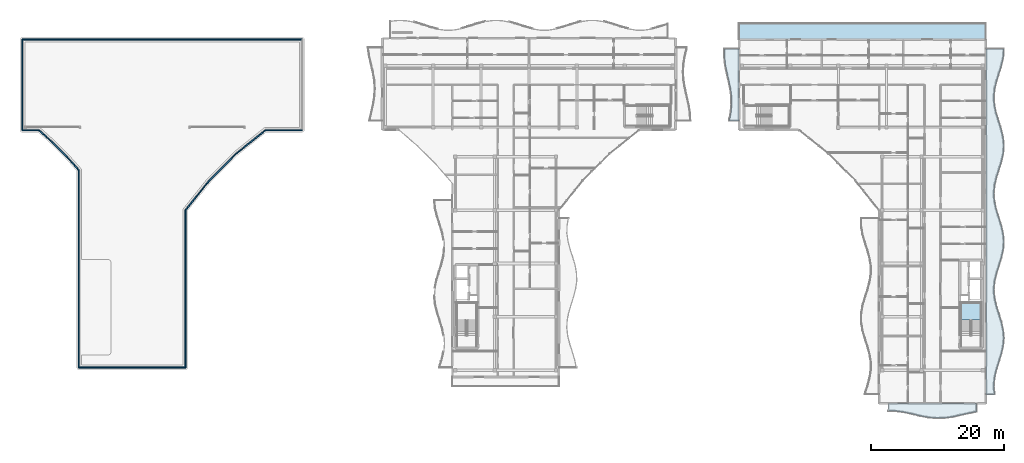
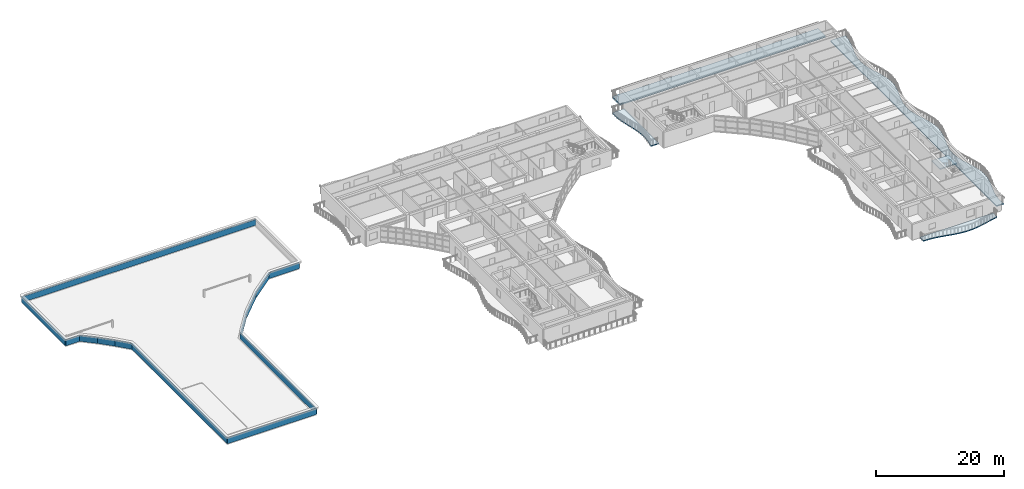
# One storey, part 20 of 39: 13 walls, 5 slabs, 1 element without a shape of its own.
"""IFC4 building model written with IfcOpenShell, lengths in metres."""

from ifc_helpers import new_model, si_unit, direction, frame, frame_2d, origin, place, context, subcontext, project, spatial, polyline, rectangle, outline, extrude, material, layer, layer_set, type_object, element, aggregate, save


model = new_model("IFC4")

# Units and contexts
model_context = context("Model", 3, precision=1e-05, world=origin(), true_north=direction((0.0, 1.0)))
body_context = subcontext(model_context, "Body", "Model", "MODEL_VIEW")
ifc_project = project(units=[si_unit("LENGTHUNIT", "METRE"), si_unit("AREAUNIT", "SQUARE_METRE"), si_unit("VOLUMEUNIT", "CUBIC_METRE"), si_unit("PLANEANGLEUNIT", "RADIAN"), si_unit("MASSUNIT", "GRAM", prefix="KILO")], contexts=[model_context])

# Site, building, storey
site_placement = place(None, origin())
site = spatial("IfcSite", under=ifc_project, at=site_placement, CompositionType="ELEMENT")
building_placement = place(site_placement, origin())
building = spatial("IfcBuilding", under=site, at=building_placement, Name="Keldmere Railside Commons", CompositionType="ELEMENT")
storey_placement = place(building_placement, frame((0.0, 0.0, 32.9599609375)))
storey = spatial("IfcBuildingStorey", under=building, at=storey_placement, Name="L10", CompositionType="ELEMENT", Elevation=32.9599609375)

# Stair, slab
ifc_material_1 = material(Name="Concrete H-30 (C30/37)", Category="concrete")
stair_type = type_object("IfcStairType", Name="Residential Core Dogleg Stair 1450", PredefinedType="HALF_TURN_STAIR", material=ifc_material_1)
stair_placement = place(storey_placement, origin())
stair = element("IfcStair", 1, at=stair_placement, inside=storey, type_object=stair_type, Name="L10 Block A Primary Escape Stair 1", PredefinedType="HALF_TURN_STAIR")
ifc_layer_1 = layer(ifc_material_1, 0.199951171875, Name="Enclosed Stair Landing Slab 200")
ifc_layer_set_1 = layer_set([ifc_layer_1], Name="Concrete H-30 (C30/37)")
slab_type_1 = type_object("IfcSlabType", Name="Enclosed Stair Landing Slab 200", PredefinedType="LANDING", material=ifc_layer_set_1)
slab_1_placement = place(storey_placement, frame((0.0, 0.0, 1.400146484375)))
slab_1 = element("IfcSlab", 2, at=slab_1_placement, type_object=slab_type_1, Name="ST-A1 landing 1", PredefinedType="LANDING", context=body_context, shape_type="SweptSolid", body=[
    extrude(outline(polyline([(183.300048828125, 71.52001953125), (183.300048828125, 74.10009765625), (180.25, 74.10009765625), (180.25, 71.52001953125), (183.300048828125, 71.52001953125)])), origin(), (0.0, 0.0, 1.0), 0.199951171875),
])
aggregate(stair, [slab_1])

# Slabs
ifc_material_2 = material(Name="Concrete H-35 (C35/45)", Category="concrete")
ifc_layer_2 = layer(ifc_material_2, 0.25, Name="Planted Terrace Roof Slab 250")
ifc_layer_set_2 = layer_set([ifc_layer_2], Name="Concrete H-35 (C35/45)")
slab_type_2 = type_object("IfcSlabType", Name="Planted Terrace Roof Slab 250", PredefinedType="ROOF", material=ifc_layer_set_2)
slab_2_placement = place(storey_placement, frame((0.0, 0.0, -0.25)))
element("IfcSlab", 3, at=slab_2_placement, inside=storey, type_object=slab_type_2, Name="RT-1 TERRA-L10-065", PredefinedType="ROOF", context=body_context, shape_type="SweptSolid", body=[
    extrude(outline(polyline([(147.0, 116.0), (147.0, 113.610107421875), (184.0, 113.610107421875), (184.0, 116.0), (147.0, 116.0)])), origin(), (0.0, 0.0, 1.0), 0.25),
])
ifc_material_3 = material(Name="White Precast Concrete H-35 (C35/45)", Category="concrete")
ifc_layer_3 = layer(ifc_material_3, 0.179931640625, Name="Sinusoidal Wave Balcony Slab 180")
ifc_layer_set_3 = layer_set([ifc_layer_3], Name="White Precast Concrete H-35 (C35/45)")
slab_type_3 = type_object("IfcSlabType", Name="Sinusoidal Wave Balcony Slab 180", PredefinedType="FLOOR", material=ifc_layer_set_3)
slab_3_placement = place(storey_placement, frame((0.0, 0.0, -0.179931640625)))
element("IfcSlab", 4, at=slab_3_placement, inside=storey, type_object=slab_type_3, Name="WB-1 A L10 CE Wave Balcony", PredefinedType="FLOOR", context=body_context, shape_type="SweptSolid", body=[
    extrude(outline(polyline([(185.308837890625, 60.39990234375), (185.2001953125, 61.604736328125), (185.2939453125, 62.809326171875), (185.564697265625, 64.013916015625), (185.939697265625, 65.218505859375), (186.3173828125, 66.42333984375), (186.595703125, 67.6279296875), (186.699951171875, 68.83251953125), (186.601806640625, 70.037109375), (186.327392578125, 71.241943359375), (185.951416015625, 72.446533203125), (185.57470703125, 73.651123046875), (185.299560546875, 74.855712890625), (185.199951171875, 76.060546875), (185.302978515625, 77.26513671875), (185.58056640625, 78.4697265625), (185.9580078125, 79.67431640625), (186.3330078125, 80.879150390625), (186.60498046875, 82.083740234375), (186.699951171875, 83.288330078125), (186.59228515625, 84.492919921875), (186.3115234375, 85.69775390625), (185.93310546875, 86.90234375), (185.55908203125, 88.10693359375), (185.290771484375, 89.3115234375), (185.2001953125, 90.516357421875), (185.312255859375, 91.720947265625), (185.596435546875, 92.925537109375), (185.97607421875, 94.130126953125), (186.3486328125, 95.3349609375), (186.613525390625, 96.53955078125), (186.699462890625, 97.744140625), (186.582763671875, 98.94873046875), (186.29541015625, 100.153564453125), (185.914794921875, 101.358154296875), (185.543701171875, 102.562744140625), (185.2822265625, 103.767333984375), (185.201171875, 104.97216796875), (185.322021484375, 106.1767578125), (185.61279296875, 107.38134765625), (185.994384765625, 108.5859375), (186.364013671875, 109.790771484375), (186.621826171875, 110.995361328125), (186.698486328125, 112.199951171875), (184.0, 112.199951171875), (184.0, 110.995361328125), (184.0, 109.790771484375), (184.0, 108.5859375), (184.0, 107.38134765625), (184.0, 106.1767578125), (184.0, 104.97216796875), (184.0, 103.767333984375), (184.0, 102.562744140625), (184.0, 101.358154296875), (184.0, 100.153564453125), (184.0, 98.94873046875), (184.0, 97.744140625), (184.0, 96.53955078125), (184.0, 95.3349609375), (184.0, 94.130126953125), (184.0, 92.925537109375), (184.0, 91.720947265625), (184.0, 90.516357421875), (184.0, 89.3115234375), (184.0, 88.10693359375), (184.0, 86.90234375), (184.0, 85.69775390625), (184.0, 84.492919921875), (184.0, 83.288330078125), (184.0, 82.083740234375), (184.0, 80.879150390625), (184.0, 79.67431640625), (184.0, 78.4697265625), (184.0, 77.26513671875), (184.0, 76.060546875), (184.0, 74.855712890625), (184.0, 73.651123046875), (184.0, 72.446533203125), (184.0, 71.241943359375), (184.0, 70.037109375), (184.0, 68.83251953125), (184.0, 67.6279296875), (184.0, 66.42333984375), (184.0, 65.218505859375), (184.0, 64.013916015625), (184.0, 62.809326171875), (184.0, 61.604736328125), (184.0, 60.39990234375), (185.308837890625, 60.39990234375)])), origin(), (0.0, 0.0, 1.0), 0.179931640625),
])
slab_4_placement = place(storey_placement, frame((0.0, 0.0, -0.179931640625)))
element("IfcSlab", 5, at=slab_4_placement, inside=storey, type_object=slab_type_3, Name="WB-1 A L10 WW Wave Balcony", PredefinedType="FLOOR", context=body_context, shape_type="SweptSolid", body=[
    extrude(outline(polyline([(147.0, 101.39990234375), (147.0, 102.60009765625), (147.0, 103.800048828125), (147.0, 105.0), (147.0, 106.199951171875), (147.0, 107.39990234375), (147.0, 108.60009765625), (147.0, 109.800048828125), (147.0, 111.0), (147.0, 112.199951171875), (144.828857421875, 112.199951171875), (144.810791015625, 111.0), (144.937255859375, 109.800048828125), (145.17431640625, 108.60009765625), (145.45849609375, 107.39990234375), (145.71337890625, 106.199951171875), (145.87109375, 105.0), (145.88916015625, 103.800048828125), (145.7626953125, 102.60009765625), (145.525634765625, 101.39990234375), (147.0, 101.39990234375)])), origin(), (0.0, 0.0, 1.0), 0.179931640625),
])
slab_5_placement = place(storey_placement, frame((0.0, 0.0, -0.179931640625)))
element("IfcSlab", 6, at=slab_5_placement, inside=storey, type_object=slab_type_3, Name="WB-1 A L10 S Wave Balcony", PredefinedType="FLOOR", context=body_context, shape_type="SweptSolid", body=[
    extrude(outline(polyline([(169.39990234375, 57.894287109375), (170.60009765625, 57.861083984375), (171.800048828125, 57.691162109375), (173.0, 57.4296875), (174.199951171875, 57.14697265625), (175.39990234375, 56.918701171875), (176.60009765625, 56.805908203125), (177.800048828125, 56.8388671875), (179.0, 57.0087890625), (180.199951171875, 57.270263671875), (181.39990234375, 57.552978515625), (182.60009765625, 57.781494140625), (182.60009765625, 59.0), (181.39990234375, 59.0), (180.199951171875, 59.0), (179.0, 59.0), (177.800048828125, 59.0), (176.60009765625, 59.0), (175.39990234375, 59.0), (174.199951171875, 59.0), (173.0, 59.0), (171.800048828125, 59.0), (170.60009765625, 59.0), (169.39990234375, 59.0), (169.39990234375, 57.894287109375)])), origin(), (0.0, 0.0, 1.0), 0.179931640625),
])

# Walls
ifc_material_4 = material(Name="Architectural Precast Concrete H-35 (C35/45)", Category="concrete")
ifc_layer_4 = layer(ifc_material_4, 0.18994140625, Name="Roof Parapet Wall 190")
ifc_layer_set_4 = layer_set([ifc_layer_4], Name="Architectural Precast Concrete H-35 (C35/45)")
wall_type = type_object("IfcWallType", Name="Roof Parapet Wall 190", PredefinedType="PARAPET", material=ifc_layer_set_4)
wall_1_placement = place(storey_placement, frame((64.0, 64.39990234375, 0.0), z_axis=(0.0, 0.0, 1.0), x_axis=(-1.0, 0.0, 0.0)))
element("IfcWall", 7, at=wall_1_placement, inside=storey, type_object=wall_type, Name="PW-1 PRPC-L10-0406", PredefinedType="PARAPET", context=body_context, shape_type="SweptSolid", body=[
    extrude(rectangle(XDim=16.0, YDim=0.18994140625, at=frame_2d((8.0, 0.0))), origin(), (0.0, 0.0, 1.0), 1.10009765625),
])
wall_2_placement = place(storey_placement, frame((64.0, 88.0, 0.0), z_axis=(0.0, 0.0, 1.0), x_axis=(0.0, -1.0, 0.0)))
element("IfcWall", 8, at=wall_2_placement, inside=storey, type_object=wall_type, Name="PW-1 PRPC-L10-0407", PredefinedType="PARAPET", context=body_context, shape_type="SweptSolid", body=[
    extrude(rectangle(XDim=23.60009765625, YDim=0.18994140625, at=frame_2d((11.800048828125, 0.0))), origin(), (0.0, 0.0, 1.0), 1.10009765625),
])
wall_3_placement = place(storey_placement, frame((67.553955078125, 92.429931640625, 0.0), z_axis=(0.0, 0.0, 1.0), x_axis=(-0.625769143611, -0.780008319766, 0.0)))
element("IfcWall", 9, at=wall_3_placement, inside=storey, type_object=wall_type, Name="PW-1 PRPC-L10-0408", PredefinedType="PARAPET", context=body_context, shape_type="SweptSolid", body=[
    extrude(rectangle(XDim=5.679443359375, YDim=0.18994140625, at=frame_2d((2.83984375, 0.0))), origin(), (0.0, 0.0, 1.0), 1.10009765625),
])
wall_4_placement = place(storey_placement, frame((71.570068359375, 96.446044921875, 0.0), z_axis=(0.0, 0.0, 1.0), x_axis=(-0.707106781187, -0.707106781187, 0.0)))
element("IfcWall", 10, at=wall_4_placement, inside=storey, type_object=wall_type, Name="PW-1 PRPC-L10-0409", PredefinedType="PARAPET", context=body_context, shape_type="SweptSolid", body=[
    extrude(rectangle(XDim=5.6796875, YDim=0.18994140625, at=frame_2d((2.83984375, 0.0))), origin(), (0.0, 0.0, 1.0), 1.10009765625),
])
wall_5_placement = place(storey_placement, frame((76.0, 100.0, 0.0), z_axis=(0.0, 0.0, 1.0), x_axis=(-0.780008319766, -0.625769143611, 0.0)))
element("IfcWall", 11, at=wall_5_placement, inside=storey, type_object=wall_type, Name="PW-1 PRPC-L10-0410", PredefinedType="PARAPET", context=body_context, shape_type="SweptSolid", body=[
    extrude(rectangle(XDim=5.679443359375, YDim=0.18994140625, at=frame_2d((2.83984375, 0.0))), origin(), (0.0, 0.0, 1.0), 1.10009765625),
])
wall_6_placement = place(storey_placement, frame((81.5, 100.0, 0.0), z_axis=(0.0, 0.0, 1.0), x_axis=(-1.0, 0.0, 0.0)))
element("IfcWall", 12, at=wall_6_placement, inside=storey, type_object=wall_type, Name="PW-1 PRPC-L10-0411", PredefinedType="PARAPET", context=body_context, shape_type="SweptSolid", body=[
    extrude(rectangle(XDim=5.5, YDim=0.18994140625, at=frame_2d((2.75, 0.0))), origin(), (0.0, 0.0, 1.0), 1.10009765625),
])
wall_7_placement = place(storey_placement, frame((39.5, 113.60009765625, 0.0), z_axis=(0.0, 0.0, 1.0), x_axis=(1.0, 0.0, 0.0)))
element("IfcWall", 13, at=wall_7_placement, inside=storey, type_object=wall_type, Name="PW-1 PRPC-L10-0413", PredefinedType="PARAPET", context=body_context, shape_type="SweptSolid", body=[
    extrude(rectangle(XDim=42.0, YDim=0.18994140625, at=frame_2d((21.0, 0.0))), origin(), (0.0, 0.0, 1.0), 1.10009765625),
])
wall_8_placement = place(storey_placement, frame((39.5, 100.0, 0.0), z_axis=(0.0, 0.0, 1.0), x_axis=(0.0, 1.0, 0.0)))
element("IfcWall", 14, at=wall_8_placement, inside=storey, type_object=wall_type, Name="PW-1 PRPC-L10-0414", PredefinedType="PARAPET", context=body_context, shape_type="SweptSolid", body=[
    extrude(rectangle(XDim=13.60009765625, YDim=0.18994140625, at=frame_2d((6.800048828125, 0.0))), origin(), (0.0, 0.0, 1.0), 1.10009765625),
])
wall_9_placement = place(storey_placement, frame((42.0, 100.0, 0.0), z_axis=(0.0, 0.0, 1.0), x_axis=(-1.0, 0.0, 0.0)))
element("IfcWall", 15, at=wall_9_placement, inside=storey, type_object=wall_type, Name="PW-1 PRPC-L10-0415", PredefinedType="PARAPET", context=body_context, shape_type="SweptSolid", body=[
    extrude(rectangle(XDim=2.5, YDim=0.18994140625, at=frame_2d((1.25, 0.0))), origin(), (0.0, 0.0, 1.0), 1.10009765625),
])
wall_10_placement = place(storey_placement, frame((44.10791015625, 98.110107421875, 0.0), z_axis=(0.0, 0.0, 1.0), x_axis=(-0.744562050564, 0.667553258445, 0.0)))
element("IfcWall", 16, at=wall_10_placement, inside=storey, type_object=wall_type, Name="PW-1 PRPC-L10-0416", PredefinedType="PARAPET", context=body_context, shape_type="SweptSolid", body=[
    extrude(rectangle(XDim=2.8310546875, YDim=0.18994140625, at=frame_2d((1.41552734375, 0.0))), origin(), (0.0, 0.0, 1.0), 1.10009765625),
])
wall_11_placement = place(storey_placement, frame((46.110107421875, 96.10791015625, 0.0), z_axis=(0.0, 0.0, 1.0), x_axis=(-0.707106781187, 0.707106781187, 0.0)))
element("IfcWall", 17, at=wall_11_placement, inside=storey, type_object=wall_type, Name="PW-1 PRPC-L10-0417", PredefinedType="PARAPET", context=body_context, shape_type="SweptSolid", body=[
    extrude(rectangle(XDim=2.83154296875, YDim=0.18994140625, at=frame_2d((1.415771484375, 0.0))), origin(), (0.0, 0.0, 1.0), 1.10009765625),
])
wall_12_placement = place(storey_placement, frame((48.0, 94.0, 0.0), z_axis=(0.0, 0.0, 1.0), x_axis=(-0.667553258445, 0.744562050564, 0.0)))
element("IfcWall", 18, at=wall_12_placement, inside=storey, type_object=wall_type, Name="PW-1 PRPC-L10-0418", PredefinedType="PARAPET", context=body_context, shape_type="SweptSolid", body=[
    extrude(rectangle(XDim=2.8310546875, YDim=0.18994140625, at=frame_2d((1.41552734375, 0.0))), origin(), (0.0, 0.0, 1.0), 1.10009765625),
])
wall_13_placement = place(storey_placement, frame((48.0, 64.39990234375, 0.0), z_axis=(0.0, 0.0, 1.0), x_axis=(0.0, 1.0, 0.0)))
element("IfcWall", 19, at=wall_13_placement, inside=storey, type_object=wall_type, Name="PW-1 PRPC-L10-0419", PredefinedType="PARAPET", context=body_context, shape_type="SweptSolid", body=[
    extrude(rectangle(XDim=29.60009765625, YDim=0.18994140625, at=frame_2d((14.800048828125, 0.0))), origin(), (0.0, 0.0, 1.0), 1.10009765625),
])

save(model, "model.ifc")
